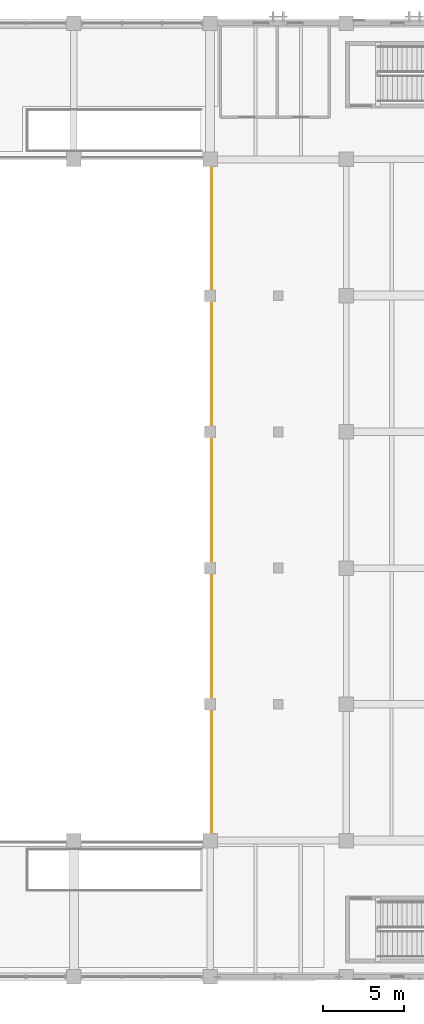
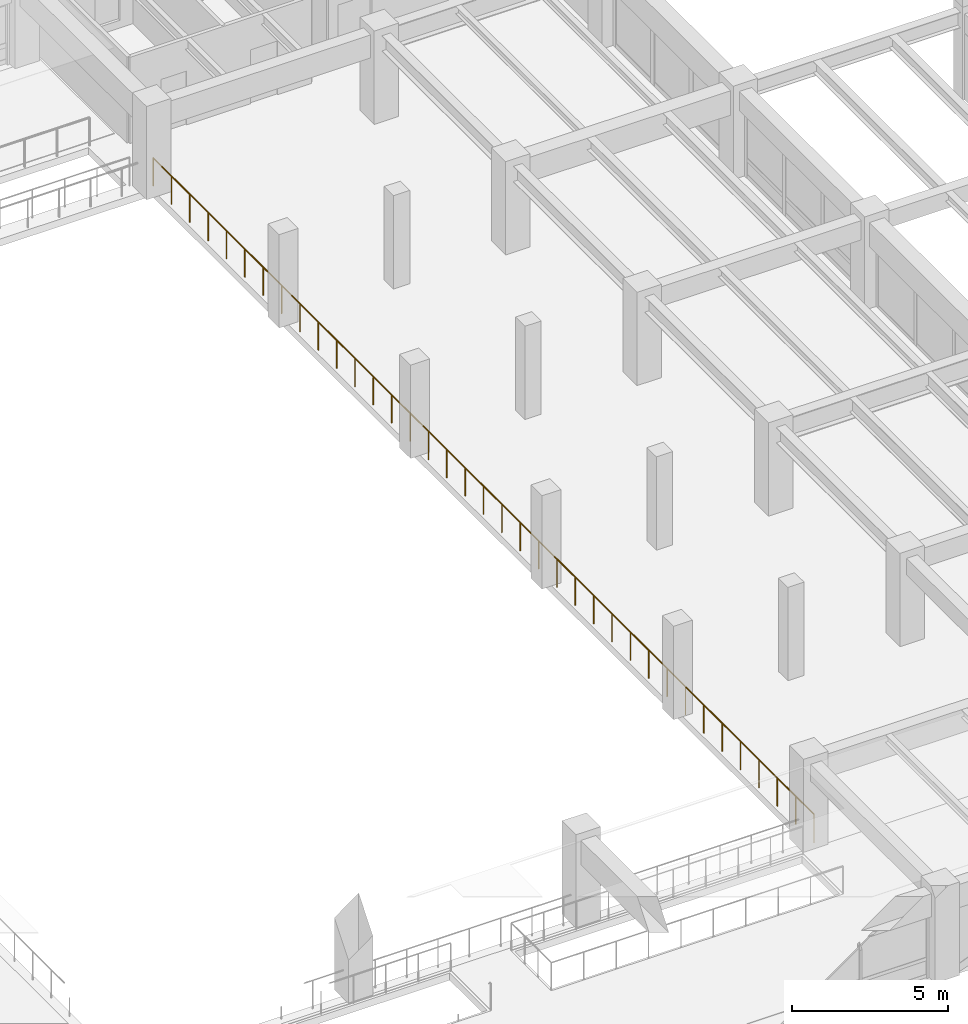
# One storey, part 91 of 118: 1 railing.
"""IFC4 building model written with IfcOpenShell, lengths in metres."""

from ifc_helpers import new_model, si_unit, direction, frame, origin, origin_2d, place, context, subcontext, project, spatial, circle, extrude, material, type_object, element, save


model = new_model("IFC4")

# Units and contexts
model_context = context("Model", 3, precision=1e-05, world=origin(), true_north=direction((0.0, 1.0)))
body_context = subcontext(model_context, "Body", "Model", "MODEL_VIEW")
ifc_project = project(units=[si_unit("LENGTHUNIT", "METRE"), si_unit("AREAUNIT", "SQUARE_METRE"), si_unit("VOLUMEUNIT", "CUBIC_METRE"), si_unit("PLANEANGLEUNIT", "RADIAN"), si_unit("MASSUNIT", "GRAM", prefix="KILO")], contexts=[model_context])

# Site, building, storey
site_placement = place(None, origin())
site = spatial("IfcSite", under=ifc_project, at=site_placement, CompositionType="ELEMENT")
building_placement = place(site_placement, origin())
building = spatial("IfcBuilding", under=site, at=building_placement, Name="Cumbredor Promenade Congress Hotel", CompositionType="ELEMENT")
storey_placement = place(building_placement, frame((0.0, 0.0, 3.919921875)))
storey = spatial("IfcBuildingStorey", under=building, at=storey_placement, Name="L01", CompositionType="ELEMENT", Elevation=3.919921875)

# Railing
ifc_material = material(Name="Brushed stainless steel", Category="steel")
railing_type = type_object("IfcRailingType", Name="Interior Void & Stair Guardrail GR-1100", PredefinedType="GUARDRAIL", material=ifc_material)
railing_placement = place(storey_placement, frame((50.52001953125, 16.679931640625, 0.0)))
element("IfcRailing", 1, at=railing_placement, inside=storey, type_object=railing_type, Name="L01 v1_plenary_bowl Void Perimeter Guardrail 2", PredefinedType="GUARDRAIL", context=body_context, shape_type="SweptSolid", body=[
    extrude(circle(Radius=0.02392578125, at=origin_2d()), frame((0.0, 0.0, 1.09619140625), z_axis=(0.0, 1.0, 0.0), x_axis=(-1.0, 0.0, 0.0)), (0.0, 0.0, 1.0), 42.239990234375),
    extrude(circle(Radius=0.02099609375, at=origin_2d()), origin(), (0.0, 0.0, 1.0), 1.072021484375),
    extrude(circle(Radius=0.02099609375, at=origin_2d()), frame((0.0, 1.17333984375, 0.0)), (0.0, 0.0, 1.0), 1.072021484375),
    extrude(circle(Radius=0.02099609375, at=origin_2d()), frame((0.0, 2.3466796875, 0.0)), (0.0, 0.0, 1.0), 1.072021484375),
    extrude(circle(Radius=0.02099609375, at=origin_2d()), frame((0.0, 3.52001953125, 0.0)), (0.0, 0.0, 1.0), 1.072021484375),
    extrude(circle(Radius=0.02099609375, at=origin_2d()), frame((0.0, 4.693359375, 0.0)), (0.0, 0.0, 1.0), 1.072021484375),
    extrude(circle(Radius=0.02099609375, at=origin_2d()), frame((0.0, 5.86669921875, 0.0)), (0.0, 0.0, 1.0), 1.072021484375),
    extrude(circle(Radius=0.02099609375, at=origin_2d()), frame((0.0, 7.0400390625, 0.0)), (0.0, 0.0, 1.0), 1.072021484375),
    extrude(circle(Radius=0.02099609375, at=origin_2d()), frame((0.0, 8.21337890625, 0.0)), (0.0, 0.0, 1.0), 1.072021484375),
    extrude(circle(Radius=0.02099609375, at=origin_2d()), frame((0.0, 9.38671875, 0.0)), (0.0, 0.0, 1.0), 1.072021484375),
    extrude(circle(Radius=0.02099609375, at=origin_2d()), frame((0.0, 10.56005859375, 0.0)), (0.0, 0.0, 1.0), 1.072021484375),
    extrude(circle(Radius=0.02099609375, at=origin_2d()), frame((0.0, 11.7333984375, 0.0)), (0.0, 0.0, 1.0), 1.072021484375),
    extrude(circle(Radius=0.02099609375, at=origin_2d()), frame((0.0, 12.90673828125, 0.0)), (0.0, 0.0, 1.0), 1.072021484375),
    extrude(circle(Radius=0.02099609375, at=origin_2d()), frame((0.0, 14.080078125, 0.0)), (0.0, 0.0, 1.0), 1.072021484375),
    extrude(circle(Radius=0.02099609375, at=origin_2d()), frame((0.0, 15.25341796875, 0.0)), (0.0, 0.0, 1.0), 1.072021484375),
    extrude(circle(Radius=0.02099609375, at=origin_2d()), frame((0.0, 16.4267578125, 0.0)), (0.0, 0.0, 1.0), 1.072021484375),
    extrude(circle(Radius=0.02099609375, at=origin_2d()), frame((0.0, 17.60009765625, 0.0)), (0.0, 0.0, 1.0), 1.072021484375),
    extrude(circle(Radius=0.02099609375, at=origin_2d()), frame((0.0, 18.7734375, 0.0)), (0.0, 0.0, 1.0), 1.072021484375),
    extrude(circle(Radius=0.02099609375, at=origin_2d()), frame((0.0, 19.94677734375, 0.0)), (0.0, 0.0, 1.0), 1.072021484375),
    extrude(circle(Radius=0.02099609375, at=origin_2d()), frame((0.0, 21.1201171875, 0.0)), (0.0, 0.0, 1.0), 1.072021484375),
    extrude(circle(Radius=0.02099609375, at=origin_2d()), frame((0.0, 22.293212890625, 0.0)), (0.0, 0.0, 1.0), 1.072021484375),
    extrude(circle(Radius=0.02099609375, at=origin_2d()), frame((0.0, 23.466552734375, 0.0)), (0.0, 0.0, 1.0), 1.072021484375),
    extrude(circle(Radius=0.02099609375, at=origin_2d()), frame((0.0, 24.639892578125, 0.0)), (0.0, 0.0, 1.0), 1.072021484375),
    extrude(circle(Radius=0.02099609375, at=origin_2d()), frame((0.0, 25.813232421875, 0.0)), (0.0, 0.0, 1.0), 1.072021484375),
    extrude(circle(Radius=0.02099609375, at=origin_2d()), frame((0.0, 26.986572265625, 0.0)), (0.0, 0.0, 1.0), 1.072021484375),
    extrude(circle(Radius=0.02099609375, at=origin_2d()), frame((0.0, 28.159912109375, 0.0)), (0.0, 0.0, 1.0), 1.072021484375),
    extrude(circle(Radius=0.02099609375, at=origin_2d()), frame((0.0, 29.333251953125, 0.0)), (0.0, 0.0, 1.0), 1.072021484375),
    extrude(circle(Radius=0.02099609375, at=origin_2d()), frame((0.0, 30.506591796875, 0.0)), (0.0, 0.0, 1.0), 1.072021484375),
    extrude(circle(Radius=0.02099609375, at=origin_2d()), frame((0.0, 31.679931640625, 0.0)), (0.0, 0.0, 1.0), 1.072021484375),
    extrude(circle(Radius=0.02099609375, at=origin_2d()), frame((0.0, 32.853271484375, 0.0)), (0.0, 0.0, 1.0), 1.072021484375),
    extrude(circle(Radius=0.02099609375, at=origin_2d()), frame((0.0, 34.026611328125, 0.0)), (0.0, 0.0, 1.0), 1.072021484375),
    extrude(circle(Radius=0.02099609375, at=origin_2d()), frame((0.0, 35.199951171875, 0.0)), (0.0, 0.0, 1.0), 1.072021484375),
    extrude(circle(Radius=0.02099609375, at=origin_2d()), frame((0.0, 36.373291015625, 0.0)), (0.0, 0.0, 1.0), 1.072021484375),
    extrude(circle(Radius=0.02099609375, at=origin_2d()), frame((0.0, 37.546630859375, 0.0)), (0.0, 0.0, 1.0), 1.072021484375),
    extrude(circle(Radius=0.02099609375, at=origin_2d()), frame((0.0, 38.719970703125, 0.0)), (0.0, 0.0, 1.0), 1.072021484375),
    extrude(circle(Radius=0.02099609375, at=origin_2d()), frame((0.0, 39.893310546875, 0.0)), (0.0, 0.0, 1.0), 1.072021484375),
    extrude(circle(Radius=0.02099609375, at=origin_2d()), frame((0.0, 41.066650390625, 0.0)), (0.0, 0.0, 1.0), 1.072021484375),
    extrude(circle(Radius=0.02099609375, at=origin_2d()), frame((0.0, 42.239990234375, 0.0)), (0.0, 0.0, 1.0), 1.072021484375),
])

save(model, "model.ifc")
